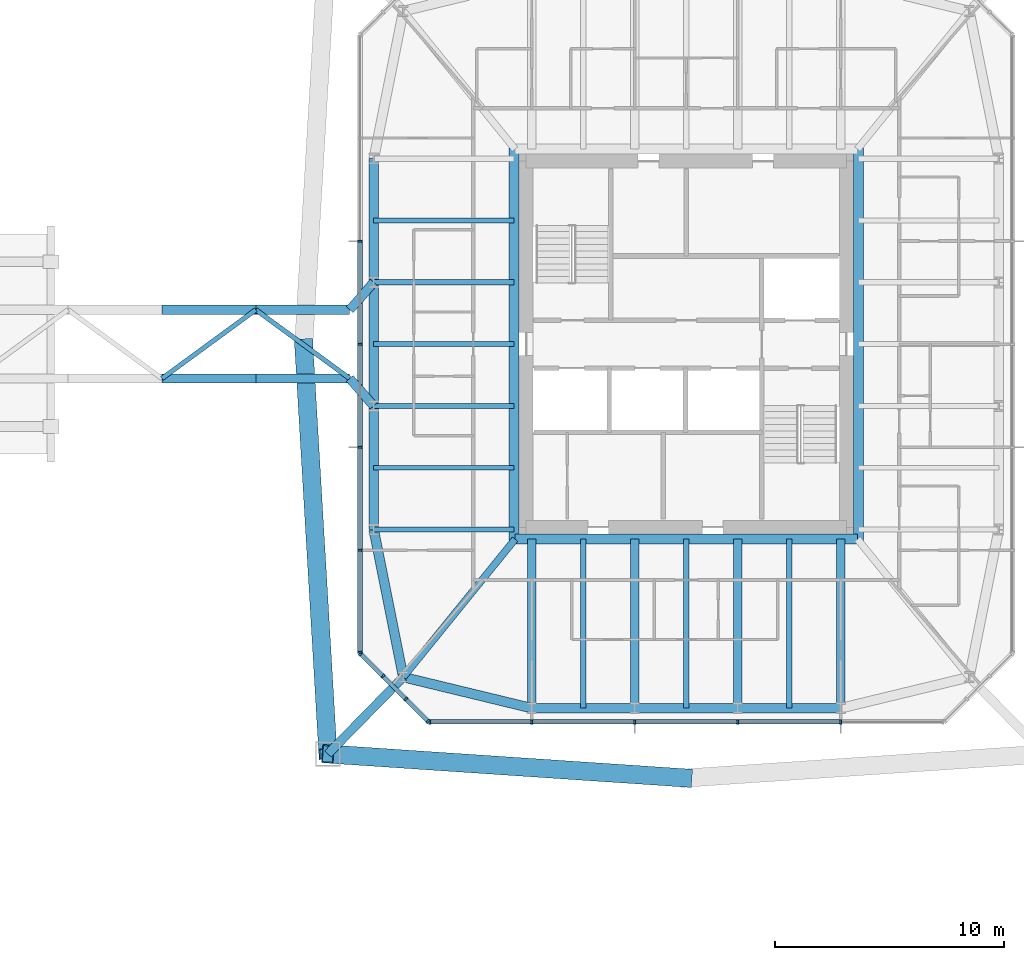
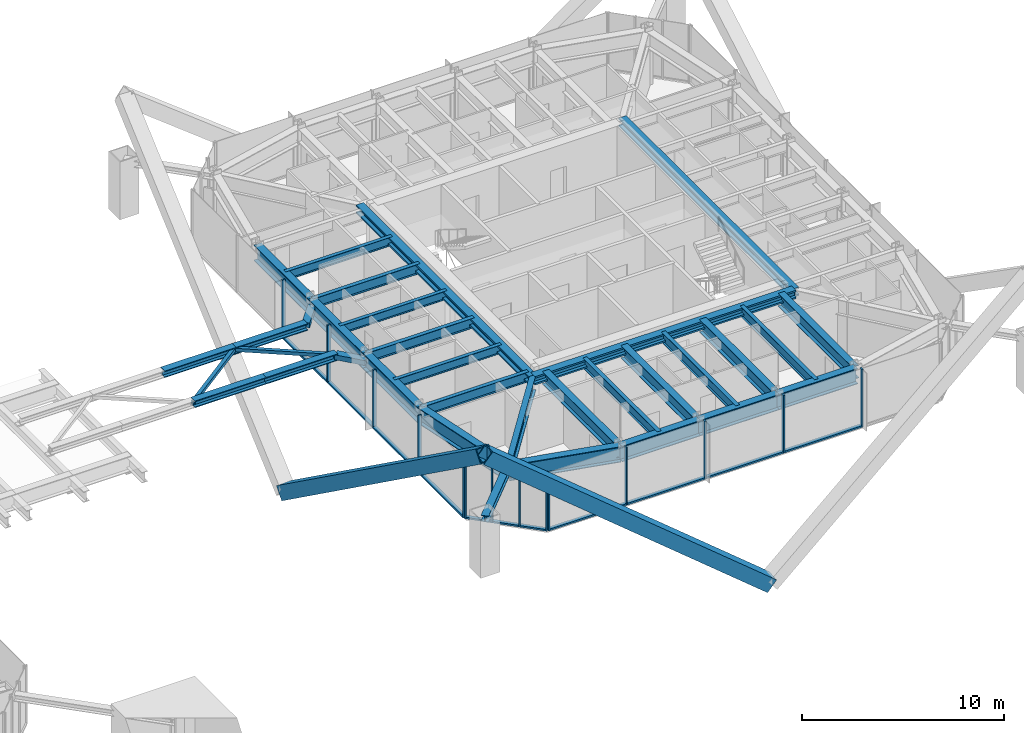
# One storey, part 9 of 27: 36 members, 25 beams, 3 elements without a shape of their own.
"""IFC4 building model written with IfcOpenShell, lengths in metres."""

from ifc_helpers import new_model, si_unit, direction, frame, origin, origin_2d, place, context, subcontext, project, spatial, rectangle, hollow_rectangle, i_section, extrude, material, material_profile, profile_set, type_object, element, aggregate, save


model = new_model("IFC4")

# Units and contexts
model_context = context("Model", 3, precision=1e-05, world=origin(), true_north=direction((0.0, 1.0)))
body_context = subcontext(model_context, "Body", "Model", "MODEL_VIEW")
ifc_project = project(units=[si_unit("LENGTHUNIT", "METRE"), si_unit("AREAUNIT", "SQUARE_METRE"), si_unit("VOLUMEUNIT", "CUBIC_METRE"), si_unit("PLANEANGLEUNIT", "RADIAN"), si_unit("MASSUNIT", "GRAM", prefix="KILO")], contexts=[model_context])

# Site, building, storey
site_placement = place(None, origin())
site = spatial("IfcSite", under=ifc_project, at=site_placement, CompositionType="ELEMENT")
building_placement = place(site_placement, origin())
building = spatial("IfcBuilding", under=site, at=building_placement, Name="Iwan Alto Co-Living Towers", CompositionType="ELEMENT")
storey_placement = place(building_placement, frame((0.0, 0.0, 94.5)))
storey = spatial("IfcBuildingStorey", under=building, at=storey_placement, Name="L25", CompositionType="ELEMENT", Elevation=94.5)

# Members
ifc_material_1 = material(Name="Steel ASTM A36", Category="steel")
ifc_material_profile_1 = material_profile(ifc_material_1, rectangle(XDim=0.39990234375, YDim=0.300048828125, at=origin_2d()), Name="BEARING 400X300")
ifc_profile_set_1 = profile_set([ifc_material_profile_1], Name="Steel ASTM A36")
member_type_1 = type_object("IfcMemberType", Name="BRIDGE BEARING", PredefinedType="USERDEFINED", material=ifc_profile_set_1)
for number, where, z_axis, x_axis, name in (
    (1, (48.300048828125, -1.5, 2.720947265625), (0.658537126736, -0.752548239457, 0.0), (0.752548239457, 0.658537126736, 0.0), "BR1 pinned bearing T2 S"),
    (2, (48.300048828125, 1.5, 2.720947265625), (0.658537126736, 0.752548239457, 0.0), (-0.752548239457, 0.658537126736, 0.0), "BR1 pinned bearing T2 N"),
):
    element("IfcMember", number, at=place(storey_placement, frame(where, z_axis=z_axis, x_axis=x_axis)), inside=storey, type_object=member_type_1, Name=name, ObjectType="BEARING", PredefinedType="USERDEFINED", context=body_context, shape_type="SweptSolid", body=[
        extrude(rectangle(XDim=0.39990234375, YDim=0.300048828125, at=origin_2d()), origin(), (0.0, 0.0, 1.0), 1.594482421875),
    ])
ifc_material_2 = material(Name="Steel ASTM A500 Gr C", Category="steel")
ifc_material_profile_2 = material_profile(ifc_material_2, hollow_rectangle(XDim=0.203125, YDim=0.203125, WallThickness=0.01171875, at=origin_2d()), Name="HSS8X8X1/2")
ifc_profile_set_2 = profile_set([ifc_material_profile_2], Name="Steel ASTM A500 Gr C")
member_type_2 = type_object("IfcMemberType", Name="BRIDGE PLAN BRACE HSS8X8X1/2", PredefinedType="BRACE", material=ifc_profile_set_2)
for number, where, z_axis, x_axis, name in (
    (3, (40.10009765625, -1.5, 2.720947265625), (0.807020271008, 0.590523735494, 0.0), (-0.590523735494, 0.807020271008, 0.0), "BR1 plan brace 3"),
    (4, (44.199951171875, 1.5, 2.720947265625), (0.807037028369, -0.590500833905, 0.0), (0.590500833905, 0.807037028369, 0.0), "BR1 plan brace 4"),
):
    element("IfcMember", number, at=place(storey_placement, frame(where, z_axis=z_axis, x_axis=x_axis)), inside=storey, type_object=member_type_2, Name=name, PredefinedType="BRACE", context=body_context, shape_type="SweptSolid", body=[
        extrude(hollow_rectangle(XDim=0.203125, YDim=0.203125, WallThickness=0.01171875, at=origin_2d()), origin(), (0.0, 0.0, 1.0), 5.080322265625),
    ])
ifc_material_3 = material(Name="Steel ASTM A992 Gr 50", Category="steel")
ifc_material_profile_3 = material_profile(ifc_material_3, i_section(OverallWidth=0.40380859375, OverallDepth=0.406494140625, WebThickness=0.027099609375, FlangeThickness=0.043701171875, at=origin_2d()), Name="W14X233")
ifc_profile_set_3 = profile_set([ifc_material_profile_3], Name="Steel ASTM A992 Gr 50")
member_type_3 = type_object("IfcMemberType", Name="BRIDGE TRUSS CHORD W14X233", PredefinedType="CHORD", material=ifc_profile_set_3)
member_1_placement = place(storey_placement, frame((40.10009765625, -1.5, 2.720947265625), z_axis=(1.0, 0.0, 0.0), x_axis=(0.0, 1.0, 0.0)))
element("IfcMember", 5, at=member_1_placement, inside=storey, type_object=member_type_3, Name="BR1 truss S bottom chord 3", PredefinedType="CHORD", context=body_context, shape_type="SweptSolid", body=[
    extrude(i_section(OverallWidth=0.40380859375, OverallDepth=0.406494140625, WebThickness=0.027099609375, FlangeThickness=0.043701171875, at=origin_2d()), origin(), (0.0, 0.0, 1.0), 4.099853515625),
])
member_2_placement = place(storey_placement, frame((44.199951171875, -1.5, 2.720947265625), z_axis=(1.0, 0.0, 0.0), x_axis=(0.0, 1.0, 0.0)))
element("IfcMember", 6, at=member_2_placement, inside=storey, type_object=member_type_3, Name="BR1 truss S bottom chord 4", PredefinedType="CHORD", context=body_context, shape_type="SweptSolid", body=[
    extrude(i_section(OverallWidth=0.40380859375, OverallDepth=0.406494140625, WebThickness=0.027099609375, FlangeThickness=0.043701171875, at=origin_2d()), origin(), (0.0, 0.0, 1.0), 4.10009765625),
])
member_3_placement = place(storey_placement, frame((40.10009765625, 1.5, 2.720947265625), z_axis=(1.0, 0.0, 0.0), x_axis=(0.0, 1.0, 0.0)))
element("IfcMember", 7, at=member_3_placement, inside=storey, type_object=member_type_3, Name="BR1 truss N bottom chord 3", PredefinedType="CHORD", context=body_context, shape_type="SweptSolid", body=[
    extrude(i_section(OverallWidth=0.40380859375, OverallDepth=0.406494140625, WebThickness=0.027099609375, FlangeThickness=0.043701171875, at=origin_2d()), origin(), (0.0, 0.0, 1.0), 4.099853515625),
])
member_4_placement = place(storey_placement, frame((44.199951171875, 1.5, 2.720947265625), z_axis=(1.0, 0.0, 0.0), x_axis=(0.0, 1.0, 0.0)))
element("IfcMember", 8, at=member_4_placement, inside=storey, type_object=member_type_3, Name="BR1 truss N bottom chord 4", PredefinedType="CHORD", context=body_context, shape_type="SweptSolid", body=[
    extrude(i_section(OverallWidth=0.40380859375, OverallDepth=0.406494140625, WebThickness=0.027099609375, FlangeThickness=0.043701171875, at=origin_2d()), origin(), (0.0, 0.0, 1.0), 4.10009765625),
])

# Curtain wall, members
ifc_material_4 = material(Name="Bronze aluminium unitised frame", Category="aluminium")
curtain_wall_type_1 = type_object("IfcCurtainWallType", Name="CURTAIN WALL CW-C", PredefinedType="NOTDEFINED", material=ifc_material_4)
curtain_wall_1_placement = place(storey_placement, origin())
curtain_wall_1 = element("IfcCurtainWall", 9, at=curtain_wall_1_placement, inside=storey, type_object=curtain_wall_type_1, Name="T2 curtain wall S L25", PredefinedType="NOTDEFINED")
ifc_material_5 = material(Name="Aluminium 6063-T6 bronze anodised", Category="aluminium")
ifc_material_profile_4 = material_profile(ifc_material_5, rectangle(XDim=0.199951171875, YDim=0.080078125, at=origin_2d()), Name="AL 80X200")
ifc_profile_set_4 = profile_set([ifc_material_profile_4], Name="Aluminium 6063-T6 bronze anodised")
member_type_4 = type_object("IfcMemberType", Name="CW-C MULLION 80X200", PredefinedType="MULLION", material=ifc_profile_set_4)
member_5_placement = place(storey_placement, frame((51.7900390625, -16.5, 0.0), z_axis=(0.0, 0.0, 1.0), x_axis=(0.0, 1.0, 0.0)))
member_5 = element("IfcMember", 10, at=member_5_placement, type_object=member_type_4, Name="CW-C mullion 1", PredefinedType="MULLION", context=body_context, shape_type="SweptSolid", body=[
    extrude(rectangle(XDim=0.199951171875, YDim=0.080078125, at=origin_2d()), origin(), (0.0, 0.0, 1.0), 3.5),
])
member_6_placement = place(storey_placement, frame((56.25, -16.5, 0.0), z_axis=(0.0, 0.0, 1.0), x_axis=(0.0, 1.0, 0.0)))
member_6 = element("IfcMember", 11, at=member_6_placement, type_object=member_type_4, Name="CW-C mullion 2", PredefinedType="MULLION", context=body_context, shape_type="SweptSolid", body=[
    extrude(rectangle(XDim=0.199951171875, YDim=0.080078125, at=origin_2d()), origin(), (0.0, 0.0, 1.0), 3.5),
])
member_7_placement = place(storey_placement, frame((60.75, -16.5, 0.0), z_axis=(0.0, 0.0, 1.0), x_axis=(0.0, 1.0, 0.0)))
member_7 = element("IfcMember", 12, at=member_7_placement, type_object=member_type_4, Name="CW-C mullion 3", PredefinedType="MULLION", context=body_context, shape_type="SweptSolid", body=[
    extrude(rectangle(XDim=0.199951171875, YDim=0.080078125, at=origin_2d()), origin(), (0.0, 0.0, 1.0), 3.5),
])
member_8_placement = place(storey_placement, frame((65.25, -16.5, 0.0), z_axis=(0.0, 0.0, 1.0), x_axis=(0.0, 1.0, 0.0)))
member_8 = element("IfcMember", 13, at=member_8_placement, type_object=member_type_4, Name="CW-C mullion 4", PredefinedType="MULLION", context=body_context, shape_type="SweptSolid", body=[
    extrude(rectangle(XDim=0.199951171875, YDim=0.080078125, at=origin_2d()), origin(), (0.0, 0.0, 1.0), 3.5),
])
member_9_placement = place(storey_placement, frame((69.75, -16.5, 0.0), z_axis=(0.0, 0.0, 1.0), x_axis=(0.0, 1.0, 0.0)))
member_9 = element("IfcMember", 14, at=member_9_placement, type_object=member_type_4, Name="CW-C mullion 5", PredefinedType="MULLION", context=body_context, shape_type="SweptSolid", body=[
    extrude(rectangle(XDim=0.199951171875, YDim=0.080078125, at=origin_2d()), origin(), (0.0, 0.0, 1.0), 3.5),
])

curtain_wall_2_placement = place(storey_placement, origin())
curtain_wall_2 = element("IfcCurtainWall", 15, at=curtain_wall_2_placement, inside=storey, type_object=curtain_wall_type_1, Name="T2 curtain wall W L25", PredefinedType="NOTDEFINED")
member_10_placement = place(storey_placement, frame((48.75, 4.5, 0.0), z_axis=(0.0, 0.0, 1.0), x_axis=(1.0, 0.0, 0.0)))
member_10 = element("IfcMember", 16, at=member_10_placement, type_object=member_type_4, Name="CW-C mullion 3", PredefinedType="MULLION", context=body_context, shape_type="SweptSolid", body=[
    extrude(rectangle(XDim=0.199951171875, YDim=0.080078125, at=origin_2d()), origin(), (0.0, 0.0, 1.0), 3.5),
])
member_11_placement = place(storey_placement, frame((48.75, 0.0, 0.0), z_axis=(0.0, 0.0, 1.0), x_axis=(1.0, 0.0, 0.0)))
member_11 = element("IfcMember", 17, at=member_11_placement, type_object=member_type_4, Name="CW-C mullion 4", PredefinedType="MULLION", context=body_context, shape_type="SweptSolid", body=[
    extrude(rectangle(XDim=0.199951171875, YDim=0.080078125, at=origin_2d()), origin(), (0.0, 0.0, 1.0), 3.5),
])
member_12_placement = place(storey_placement, frame((48.75, -4.5, 0.0), z_axis=(0.0, 0.0, 1.0), x_axis=(1.0, 0.0, 0.0)))
member_12 = element("IfcMember", 18, at=member_12_placement, type_object=member_type_4, Name="CW-C mullion 5", PredefinedType="MULLION", context=body_context, shape_type="SweptSolid", body=[
    extrude(rectangle(XDim=0.199951171875, YDim=0.080078125, at=origin_2d()), origin(), (0.0, 0.0, 1.0), 3.5),
])
member_13_placement = place(storey_placement, frame((48.75, -9.0, 0.0), z_axis=(0.0, 0.0, 1.0), x_axis=(1.0, 0.0, 0.0)))
member_13 = element("IfcMember", 19, at=member_13_placement, type_object=member_type_4, Name="CW-C mullion 6", PredefinedType="MULLION", context=body_context, shape_type="SweptSolid", body=[
    extrude(rectangle(XDim=0.199951171875, YDim=0.080078125, at=origin_2d()), origin(), (0.0, 0.0, 1.0), 3.5),
])
member_14_placement = place(storey_placement, frame((48.75, -13.4599609375, 0.0), z_axis=(0.0, 0.0, 1.0), x_axis=(1.0, 0.0, 0.0)))
member_14 = element("IfcMember", 20, at=member_14_placement, type_object=member_type_4, Name="CW-C mullion 7", PredefinedType="MULLION", context=body_context, shape_type="SweptSolid", body=[
    extrude(rectangle(XDim=0.199951171875, YDim=0.080078125, at=origin_2d()), origin(), (0.0, 0.0, 1.0), 3.5),
])

# Member
ifc_material_6 = material(Name="Aluminium 6063-T6 bronze anodised", Category="aluminium")
ifc_material_profile_5 = material_profile(ifc_material_6, rectangle(XDim=0.199951171875, YDim=0.10009765625, at=origin_2d()), Name="AL 200X100")
ifc_profile_set_5 = profile_set([ifc_material_profile_5], Name="Aluminium 6063-T6 bronze anodised")
member_type_5 = type_object("IfcMemberType", Name="CW-C TRANSOM 200X100", PredefinedType="USERDEFINED", material=ifc_profile_set_5)
member_15_placement = place(storey_placement, frame((51.830078125, -16.5, 0.050048828125), z_axis=(1.0, 0.0, 0.0), x_axis=(0.0, 1.0, 0.0)))
member_15 = element("IfcMember", 21, at=member_15_placement, type_object=member_type_5, Name="CW-C transom 1.1", ObjectType="TRANSOM", PredefinedType="USERDEFINED", context=body_context, shape_type="SweptSolid", body=[
    extrude(rectangle(XDim=0.199951171875, YDim=0.10009765625, at=origin_2d()), origin(), (0.0, 0.0, 1.0), 4.3798828125),
])

member_16_placement = place(storey_placement, frame((56.2900390625, -16.5, 0.050048828125), z_axis=(1.0, 0.0, 0.0), x_axis=(0.0, 1.0, 0.0)))
member_16 = element("IfcMember", 22, at=member_16_placement, type_object=member_type_5, Name="CW-C transom 2.1", ObjectType="TRANSOM", PredefinedType="USERDEFINED", context=body_context, shape_type="SweptSolid", body=[
    extrude(rectangle(XDim=0.199951171875, YDim=0.10009765625, at=origin_2d()), origin(), (0.0, 0.0, 1.0), 4.419921875),
])

member_17_placement = place(storey_placement, frame((60.7900390625, -16.5, 0.050048828125), z_axis=(1.0, 0.0, 0.0), x_axis=(0.0, 1.0, 0.0)))
member_17 = element("IfcMember", 23, at=member_17_placement, type_object=member_type_5, Name="CW-C transom 3.1", ObjectType="TRANSOM", PredefinedType="USERDEFINED", context=body_context, shape_type="SweptSolid", body=[
    extrude(rectangle(XDim=0.199951171875, YDim=0.10009765625, at=origin_2d()), origin(), (0.0, 0.0, 1.0), 4.419921875),
])

member_18_placement = place(storey_placement, frame((65.2900390625, -16.5, 0.050048828125), z_axis=(1.0, 0.0, 0.0), x_axis=(0.0, 1.0, 0.0)))
member_18 = element("IfcMember", 24, at=member_18_placement, type_object=member_type_5, Name="CW-C transom 4.1", ObjectType="TRANSOM", PredefinedType="USERDEFINED", context=body_context, shape_type="SweptSolid", body=[
    extrude(rectangle(XDim=0.199951171875, YDim=0.10009765625, at=origin_2d()), origin(), (0.0, 0.0, 1.0), 4.419921875),
])

aggregate(curtain_wall_1, [member_5, member_6, member_7, member_8, member_9, member_15, member_16, member_17, member_18])

member_19_placement = place(storey_placement, frame((48.75, 4.4599609375, 0.050048828125), z_axis=(0.0, -1.0, 0.0), x_axis=(1.0, 0.0, 0.0)))
member_19 = element("IfcMember", 25, at=member_19_placement, type_object=member_type_5, Name="CW-C transom 3.1", ObjectType="TRANSOM", PredefinedType="USERDEFINED", context=body_context, shape_type="SweptSolid", body=[
    extrude(rectangle(XDim=0.199951171875, YDim=0.10009765625, at=origin_2d()), origin(), (0.0, 0.0, 1.0), 4.419921875),
])

member_20_placement = place(storey_placement, frame((48.75, -0.0400390625, 0.050048828125), z_axis=(0.0, -1.0, 0.0), x_axis=(1.0, 0.0, 0.0)))
member_20 = element("IfcMember", 26, at=member_20_placement, type_object=member_type_5, Name="CW-C transom 4.1", ObjectType="TRANSOM", PredefinedType="USERDEFINED", context=body_context, shape_type="SweptSolid", body=[
    extrude(rectangle(XDim=0.199951171875, YDim=0.10009765625, at=origin_2d()), origin(), (0.0, 0.0, 1.0), 4.419921875),
])

member_21_placement = place(storey_placement, frame((48.75, -4.5400390625, 0.050048828125), z_axis=(0.0, -1.0, 0.0), x_axis=(1.0, 0.0, 0.0)))
member_21 = element("IfcMember", 27, at=member_21_placement, type_object=member_type_5, Name="CW-C transom 5.1", ObjectType="TRANSOM", PredefinedType="USERDEFINED", context=body_context, shape_type="SweptSolid", body=[
    extrude(rectangle(XDim=0.199951171875, YDim=0.10009765625, at=origin_2d()), origin(), (0.0, 0.0, 1.0), 4.419921875),
])

member_22_placement = place(storey_placement, frame((48.75, -9.0400390625, 0.050048828125), z_axis=(0.0, -1.0, 0.0), x_axis=(1.0, 0.0, 0.0)))
member_22 = element("IfcMember", 28, at=member_22_placement, type_object=member_type_5, Name="CW-C transom 6.1", ObjectType="TRANSOM", PredefinedType="USERDEFINED", context=body_context, shape_type="SweptSolid", body=[
    extrude(rectangle(XDim=0.199951171875, YDim=0.10009765625, at=origin_2d()), origin(), (0.0, 0.0, 1.0), 4.3798828125),
])

aggregate(curtain_wall_2, [member_10, member_11, member_12, member_13, member_14, member_19, member_20, member_21, member_22])

# Curtain wall, members
ifc_material_7 = material(Name="Bronze aluminium unitised frame", Category="aluminium")
curtain_wall_type_2 = type_object("IfcCurtainWallType", Name="CURTAIN WALL CW-D", PredefinedType="NOTDEFINED", material=ifc_material_7)
curtain_wall_3_placement = place(storey_placement, origin())
curtain_wall_3 = element("IfcCurtainWall", 29, at=curtain_wall_3_placement, inside=storey, type_object=curtain_wall_type_2, Name="T2 chamfer curtain wall SW L25", PredefinedType="NOTDEFINED")
ifc_material_8 = material(Name="Aluminium 6063-T6 bronze anodised", Category="aluminium")
ifc_material_profile_6 = material_profile(ifc_material_8, rectangle(XDim=0.199951171875, YDim=0.080078125, at=origin_2d()), Name="AL 80X200")
ifc_profile_set_6 = profile_set([ifc_material_profile_6], Name="Aluminium 6063-T6 bronze anodised")
member_type_6 = type_object("IfcMemberType", Name="CW-D MULLION 80X200", PredefinedType="MULLION", material=ifc_profile_set_6)
member_23_placement = place(storey_placement, frame((48.7783203125, -13.5283203125, 0.0), z_axis=(0.0, 0.0, 1.0), x_axis=(0.707106781187, 0.707106781187, 0.0)))
member_23 = element("IfcMember", 30, at=member_23_placement, type_object=member_type_6, Name="CW-D mullion 1", PredefinedType="MULLION", context=body_context, shape_type="SweptSolid", body=[
    extrude(rectangle(XDim=0.199951171875, YDim=0.080078125, at=origin_2d()), origin(), (0.0, 0.0, 1.0), 3.5),
])
member_24_placement = place(storey_placement, frame((49.75, -14.5, 0.0), z_axis=(0.0, 0.0, 1.0), x_axis=(0.707106781187, 0.707106781187, 0.0)))
member_24 = element("IfcMember", 31, at=member_24_placement, type_object=member_type_6, Name="CW-D mullion 2", PredefinedType="MULLION", context=body_context, shape_type="SweptSolid", body=[
    extrude(rectangle(XDim=0.199951171875, YDim=0.080078125, at=origin_2d()), origin(), (0.0, 0.0, 1.0), 3.5),
])
member_25_placement = place(storey_placement, frame((50.75, -15.5, 0.0), z_axis=(0.0, 0.0, 1.0), x_axis=(0.707106781187, 0.707106781187, 0.0)))
member_25 = element("IfcMember", 32, at=member_25_placement, type_object=member_type_6, Name="CW-D mullion 3", PredefinedType="MULLION", context=body_context, shape_type="SweptSolid", body=[
    extrude(rectangle(XDim=0.199951171875, YDim=0.080078125, at=origin_2d()), origin(), (0.0, 0.0, 1.0), 3.5),
])
member_26_placement = place(storey_placement, frame((51.7216796875, -16.4716796875, 0.0), z_axis=(0.0, 0.0, 1.0), x_axis=(0.707106781187, 0.707106781187, 0.0)))
member_26 = element("IfcMember", 33, at=member_26_placement, type_object=member_type_6, Name="CW-D mullion 4", PredefinedType="MULLION", context=body_context, shape_type="SweptSolid", body=[
    extrude(rectangle(XDim=0.199951171875, YDim=0.080078125, at=origin_2d()), origin(), (0.0, 0.0, 1.0), 3.5),
])
ifc_material_9 = material(Name="Aluminium 6063-T6 bronze anodised", Category="aluminium")
ifc_material_profile_7 = material_profile(ifc_material_9, rectangle(XDim=0.199951171875, YDim=0.10009765625, at=origin_2d()), Name="AL 200X100")
ifc_profile_set_7 = profile_set([ifc_material_profile_7], Name="Aluminium 6063-T6 bronze anodised")
member_type_7 = type_object("IfcMemberType", Name="CW-D TRANSOM 200X100", PredefinedType="USERDEFINED", material=ifc_profile_set_7)
member_27_placement = place(storey_placement, frame((48.806640625, -13.556640625, 0.050048828125), z_axis=(0.707106781187, -0.707106781187, 0.0), x_axis=(0.707106781187, 0.707106781187, 0.0)))
member_27 = element("IfcMember", 34, at=member_27_placement, type_object=member_type_7, Name="CW-D transom 1.1", ObjectType="TRANSOM", PredefinedType="USERDEFINED", context=body_context, shape_type="SweptSolid", body=[
    extrude(rectangle(XDim=0.199951171875, YDim=0.10009765625, at=origin_2d()), origin(), (0.0, 0.0, 1.0), 1.2939453125),
])
member_28_placement = place(storey_placement, frame((49.7783203125, -14.5283203125, 0.050048828125), z_axis=(0.707106781187, -0.707106781187, 0.0), x_axis=(0.707106781187, 0.707106781187, 0.0)))
member_28 = element("IfcMember", 35, at=member_28_placement, type_object=member_type_7, Name="CW-D transom 2.1", ObjectType="TRANSOM", PredefinedType="USERDEFINED", context=body_context, shape_type="SweptSolid", body=[
    extrude(rectangle(XDim=0.199951171875, YDim=0.10009765625, at=origin_2d()), origin(), (0.0, 0.0, 1.0), 1.334228515625),
])
member_29_placement = place(storey_placement, frame((50.7783203125, -15.5283203125, 0.050048828125), z_axis=(0.707106781187, -0.707106781187, 0.0), x_axis=(0.707106781187, 0.707106781187, 0.0)))
member_29 = element("IfcMember", 36, at=member_29_placement, type_object=member_type_7, Name="CW-D transom 3.1", ObjectType="TRANSOM", PredefinedType="USERDEFINED", context=body_context, shape_type="SweptSolid", body=[
    extrude(rectangle(XDim=0.199951171875, YDim=0.10009765625, at=origin_2d()), origin(), (0.0, 0.0, 1.0), 1.2939453125),
])
aggregate(curtain_wall_3, [member_23, member_24, member_25, member_26, member_27, member_28, member_29])

# Beams
ifc_material_10 = material(Name="Steel ASTM A992 Gr 50", Category="steel")
ifc_material_profile_8 = material_profile(ifc_material_10, i_section(OverallWidth=0.436767578125, OverallDepth=0.51318359375, WebThickness=0.060546875, FlangeThickness=0.096923828125, at=origin_2d()), Name="W14X550")
ifc_profile_set_8 = profile_set([ifc_material_profile_8], Name="Steel ASTM A992 Gr 50")
beam_type_1 = type_object("IfcBeamType", Name="T2 CORE LEDGER BEAM W14X550", PredefinedType="BEAM", material=ifc_profile_set_8)
beam_1_placement = place(storey_placement, frame((55.52294921875, -8.5185546875, 3.013427734375), z_axis=(1.0, 0.0, 0.0), x_axis=(0.0, 1.0, 0.0)))
element("IfcBeam", 37, at=beam_1_placement, inside=storey, type_object=beam_type_1, Name="T2 core ledger beam S L26", PredefinedType="BEAM", context=body_context, shape_type="SweptSolid", body=[
    extrude(i_section(OverallWidth=0.436767578125, OverallDepth=0.51318359375, WebThickness=0.060546875, FlangeThickness=0.096923828125, at=origin_2d()), origin(), (0.0, 0.0, 1.0), 14.9541015625),
])
for number, where, z_axis, x_axis, name in (
    (38, (70.5185546875, -8.5693359375, 3.013427734375), (0.0, 1.0, 0.0), (-1.0, 0.0, 0.0), "T2 core ledger beam E L26"),
    (39, (55.4814453125, 8.5693359375, 3.013427734375), (0.0, -1.0, 0.0), (1.0, 0.0, 0.0), "T2 core ledger beam W L26"),
):
    element("IfcBeam", number, at=place(storey_placement, frame(where, z_axis=z_axis, x_axis=x_axis)), inside=storey, type_object=beam_type_1, Name=name, PredefinedType="BEAM", context=body_context, shape_type="SweptSolid", body=[
        extrude(i_section(OverallWidth=0.436767578125, OverallDepth=0.51318359375, WebThickness=0.060546875, FlangeThickness=0.096923828125, at=origin_2d()), origin(), (0.0, 0.0, 1.0), 17.138671875),
    ])
ifc_material_11 = material(Name="Steel ASTM A992 Gr 50", Category="steel")
ifc_material_profile_9 = material_profile(ifc_material_11, i_section(OverallWidth=0.307373046875, OverallDepth=0.927001953125, WebThickness=0.01953125, FlangeThickness=0.031982421875, at=origin_2d()), Name="W36X194")
ifc_profile_set_9 = profile_set([ifc_material_profile_9], Name="Steel ASTM A992 Gr 50")
beam_type_2 = type_object("IfcBeamType", Name="T2 CORNER GIRDER W36X194", PredefinedType="BEAM", material=ifc_profile_set_9)
beam_2_placement = place(storey_placement, frame((50.638671875, -14.542724609375, 2.806396484375), z_axis=(0.629787584927, 0.776767402683, 0.0), x_axis=(-0.776767402683, 0.629787584927, 0.0)))
element("IfcBeam", 40, at=beam_2_placement, inside=storey, type_object=beam_type_2, Name="T2 corner girder CSW L26", PredefinedType="BEAM", context=body_context, shape_type="SweptSolid", body=[
    extrude(i_section(OverallWidth=0.307373046875, OverallDepth=0.927001953125, WebThickness=0.01953125, FlangeThickness=0.031982421875, at=origin_2d()), origin(), (0.0, 0.0, 1.0), 7.75537109375),
])
ifc_material_12 = material(Name="Steel ASTM A992 Gr 50", Category="steel")
ifc_material_profile_10 = material_profile(ifc_material_12, i_section(OverallWidth=0.424072265625, OverallDepth=0.947509765625, WebThickness=0.02392578125, FlangeThickness=0.042724609375, at=origin_2d()), Name="W36X302")
ifc_profile_set_10 = profile_set([ifc_material_profile_10], Name="Steel ASTM A992 Gr 50")
beam_type_3 = type_object("IfcBeamType", Name="T2 EDGE BEAM W36X302", PredefinedType="BEAM", material=ifc_profile_set_10)
beam_3_placement = place(storey_placement, frame((50.638671875, -14.542724609375, 2.79638671875), z_axis=(0.971974673138, -0.235085590323, 0.0), x_axis=(0.235085590323, 0.971974673138, 0.0)))
element("IfcBeam", 41, at=beam_3_placement, inside=storey, type_object=beam_type_3, Name="T2 edge beam CSW L26", PredefinedType="BEAM", context=body_context, shape_type="SweptSolid", body=[
    extrude(i_section(OverallWidth=0.424072265625, OverallDepth=0.947509765625, WebThickness=0.02392578125, FlangeThickness=0.042724609375, at=origin_2d()), origin(), (0.0, 0.0, 1.0), 5.773193359375),
])
for number, where, z_axis, x_axis, name in (
    (42, (56.25, -15.89990234375, 2.79638671875), (1.0, 0.0, 0.0), (0.0, 1.0, 0.0), "T2 edge beam S1 L26"),
    (43, (60.75, -15.89990234375, 2.79638671875), (1.0, 0.0, 0.0), (0.0, 1.0, 0.0), "T2 edge beam S2 L26"),
    (44, (65.25, -15.89990234375, 2.79638671875), (1.0, 0.0, 0.0), (0.0, 1.0, 0.0), "T2 edge beam S3 L26"),
):
    element("IfcBeam", number, at=place(storey_placement, frame(where, z_axis=z_axis, x_axis=x_axis)), inside=storey, type_object=beam_type_3, Name=name, PredefinedType="BEAM", context=body_context, shape_type="SweptSolid", body=[
        extrude(i_section(OverallWidth=0.424072265625, OverallDepth=0.947509765625, WebThickness=0.02392578125, FlangeThickness=0.042724609375, at=origin_2d()), origin(), (0.0, 0.0, 1.0), 4.5),
    ])
beam_4_placement = place(storey_placement, frame((49.35009765625, 8.10009765625, 2.79638671875), z_axis=(0.0, -1.0, 0.0), x_axis=(1.0, 0.0, 0.0)))
element("IfcBeam", 45, at=beam_4_placement, inside=storey, type_object=beam_type_3, Name="T2 edge beam W1 L26", PredefinedType="BEAM", context=body_context, shape_type="SweptSolid", body=[
    extrude(i_section(OverallWidth=0.424072265625, OverallDepth=0.947509765625, WebThickness=0.02392578125, FlangeThickness=0.042724609375, at=origin_2d()), origin(), (0.0, 0.0, 1.0), 5.400146484375),
])
beam_5_placement = place(storey_placement, frame((49.35009765625, 2.699951171875, 2.79638671875), z_axis=(0.0, -1.0, 0.0), x_axis=(1.0, 0.0, 0.0)))
element("IfcBeam", 46, at=beam_5_placement, inside=storey, type_object=beam_type_3, Name="T2 edge beam W2 L26", PredefinedType="BEAM", context=body_context, shape_type="SweptSolid", body=[
    extrude(i_section(OverallWidth=0.424072265625, OverallDepth=0.947509765625, WebThickness=0.02392578125, FlangeThickness=0.042724609375, at=origin_2d()), origin(), (0.0, 0.0, 1.0), 5.39990234375),
])
beam_6_placement = place(storey_placement, frame((49.35009765625, -2.699951171875, 2.79638671875), z_axis=(0.0, -1.0, 0.0), x_axis=(1.0, 0.0, 0.0)))
element("IfcBeam", 47, at=beam_6_placement, inside=storey, type_object=beam_type_3, Name="T2 edge beam W3 L26", PredefinedType="BEAM", context=body_context, shape_type="SweptSolid", body=[
    extrude(i_section(OverallWidth=0.424072265625, OverallDepth=0.947509765625, WebThickness=0.02392578125, FlangeThickness=0.042724609375, at=origin_2d()), origin(), (0.0, 0.0, 1.0), 5.400146484375),
])
beam_7_placement = place(storey_placement, frame((49.35009765625, -8.10009765625, 2.79638671875), z_axis=(0.196123281025, -0.980579246487, 0.0), x_axis=(0.980579246487, 0.196123281025, 0.0)))
element("IfcBeam", 48, at=beam_7_placement, inside=storey, type_object=beam_type_3, Name="T2 edge beam W4 L26", PredefinedType="BEAM", context=body_context, shape_type="SweptSolid", body=[
    extrude(i_section(OverallWidth=0.424072265625, OverallDepth=0.947509765625, WebThickness=0.02392578125, FlangeThickness=0.042724609375, at=origin_2d()), origin(), (0.0, 0.0, 1.0), 6.5703125),
])

# Members
ifc_material_13 = material(Name="Steel ASTM A572 Gr 50", Category="steel")
ifc_material_profile_11 = material_profile(ifc_material_13, hollow_rectangle(XDim=0.800048828125, YDim=0.800048828125, WallThickness=0.050048828125, at=origin_2d()), Name="BOX 800X800X50")
ifc_profile_set_11 = profile_set([ifc_material_profile_11], Name="Steel ASTM A572 Gr 50")
member_type_8 = type_object("IfcMemberType", Name="T2 MEGA BRACE BOX 800X800X50", PredefinedType="BRACE", material=ifc_profile_set_11)
member_30_placement = place(storey_placement, frame((63.0, -18.949462890625, -5.5947265625), z_axis=(-0.777987909943, 0.052175751534, 0.62610901841), x_axis=(-0.066914677494, -0.997758701258, 0.0)))
element("IfcMember", 49, at=member_30_placement, inside=storey, type_object=member_type_8, Name="T2 mega brace Z2A S 2 upper", PredefinedType="BRACE", context=body_context, shape_type="SweptSolid", body=[
    extrude(hollow_rectangle(XDim=0.800048828125, YDim=0.800048828125, WallThickness=0.050048828125, at=origin_2d()), origin(), (0.0, 0.0, 1.0), 20.115966796875),
])
member_31_placement = place(storey_placement, frame((46.29150390625, 0.0, -5.70166015625), z_axis=(0.048174700952, -0.814592417988, 0.578029749014), x_axis=(0.998255825444, 0.059036488436, 0.0)))
element("IfcMember", 50, at=member_31_placement, inside=storey, type_object=member_type_8, Name="T2 mega brace Z2A W 1 upper", PredefinedType="BRACE", context=body_context, shape_type="SweptSolid", body=[
    extrude(hollow_rectangle(XDim=0.800048828125, YDim=0.800048828125, WallThickness=0.050048828125, at=origin_2d()), origin(), (0.0, 0.0, 1.0), 21.97412109375),
])
ifc_material_14 = material(Name="Steel ASTM A992 Gr 50", Category="steel")
ifc_material_profile_12 = material_profile(ifc_material_14, i_section(OverallWidth=0.393798828125, OverallDepth=0.3759765625, WebThickness=0.017333984375, FlangeThickness=0.027587890625, at=origin_2d()), Name="W14X145")
ifc_profile_set_12 = profile_set([ifc_material_profile_12], Name="Steel ASTM A992 Gr 50")
member_type_9 = type_object("IfcMemberType", Name="T2 MEGA COLUMN FLOOR TIE W14X145", PredefinedType="STRUT", material=ifc_profile_set_12)
member_32_placement = place(storey_placement, frame((47.35009765625, -17.89990234375, 3.08203125), z_axis=(0.699770096147, 0.714368121166, 0.0), x_axis=(-0.714368121166, 0.699770096147, 0.0)))
element("IfcMember", 51, at=member_32_placement, inside=storey, type_object=member_type_9, Name="T2 mega column floor tie SW L26", PredefinedType="STRUT", context=body_context, shape_type="SweptSolid", body=[
    extrude(i_section(OverallWidth=0.393798828125, OverallDepth=0.3759765625, WebThickness=0.017333984375, FlangeThickness=0.027587890625, at=origin_2d()), origin(), (0.0, 0.0, 1.0), 4.699462890625),
])

# Beams
ifc_material_15 = material(Name="Steel ASTM A992 Gr 50", Category="steel")
ifc_material_profile_13 = material_profile(ifc_material_15, i_section(OverallWidth=0.228271484375, OverallDepth=0.607177734375, WebThickness=0.01123046875, FlangeThickness=0.017333984375, at=origin_2d()), Name="W24X76")
ifc_profile_set_13 = profile_set([ifc_material_profile_13], Name="Steel ASTM A992 Gr 50")
beam_type_4 = type_object("IfcBeamType", Name="T2 RADIAL BEAM W24X76", PredefinedType="BEAM", material=ifc_profile_set_13)
for number, where, z_axis, x_axis, name in (
    (52, (49.35009765625, 2.699951171875, 2.966552734375), (1.0, 0.0, 0.0), (0.0, 1.0, 0.0), "T2 radial beam W2 L26"),
    (53, (49.35009765625, -2.699951171875, 2.966552734375), (1.0, 0.0, 0.0), (0.0, 1.0, 0.0), "T2 radial beam W3 L26"),
    (54, (49.35009765625, -8.10009765625, 2.966552734375), (1.0, 0.0, 0.0), (0.0, 1.0, 0.0), "T2 radial beam W4 L26"),
):
    element("IfcBeam", number, at=place(storey_placement, frame(where, z_axis=z_axis, x_axis=x_axis)), inside=storey, type_object=beam_type_4, Name=name, PredefinedType="BEAM", context=body_context, shape_type="SweptSolid", body=[
        extrude(i_section(OverallWidth=0.228271484375, OverallDepth=0.607177734375, WebThickness=0.01123046875, FlangeThickness=0.017333984375, at=origin_2d()), origin(), (0.0, 0.0, 1.0), 6.13134765625),
    ])
ifc_material_16 = material(Name="Steel ASTM A992 Gr 50", Category="steel")
ifc_material_profile_14 = material_profile(ifc_material_16, i_section(OverallWidth=0.381103515625, OverallDepth=0.772216796875, WebThickness=0.0166015625, FlangeThickness=0.027099609375, at=origin_2d()), Name="W30X173")
ifc_profile_set_14 = profile_set([ifc_material_profile_14], Name="Steel ASTM A992 Gr 50")
beam_type_5 = type_object("IfcBeamType", Name="T2 RADIAL BEAM W30X173", PredefinedType="BEAM", material=ifc_profile_set_14)
for number, where, z_axis, x_axis, name in (
    (55, (56.25, -15.89990234375, 2.884033203125), (0.0, 1.0, 0.0), (-1.0, 0.0, 0.0), "T2 radial beam S1 L26"),
    (56, (60.75, -15.89990234375, 2.884033203125), (0.0, 1.0, 0.0), (-1.0, 0.0, 0.0), "T2 radial beam S2 L26"),
    (57, (65.25, -15.89990234375, 2.884033203125), (0.0, 1.0, 0.0), (-1.0, 0.0, 0.0), "T2 radial beam S3 L26"),
    (58, (69.75, -15.89990234375, 2.884033203125), (0.0, 1.0, 0.0), (-1.0, 0.0, 0.0), "T2 radial beam S4 L26"),
):
    element("IfcBeam", number, at=place(storey_placement, frame(where, z_axis=z_axis, x_axis=x_axis)), inside=storey, type_object=beam_type_5, Name=name, PredefinedType="BEAM", context=body_context, shape_type="SweptSolid", body=[
        extrude(i_section(OverallWidth=0.381103515625, OverallDepth=0.772216796875, WebThickness=0.0166015625, FlangeThickness=0.027099609375, at=origin_2d()), origin(), (0.0, 0.0, 1.0), 7.38134765625),
    ])
ifc_material_17 = material(Name="Steel ASTM A992 Gr 50", Category="steel")
ifc_material_profile_15 = material_profile(ifc_material_17, i_section(OverallWidth=0.209228515625, OverallDepth=0.533447265625, WebThickness=0.01025390625, FlangeThickness=0.015625, at=origin_2d()), Name="W21X62")
ifc_profile_set_15 = profile_set([ifc_material_profile_15], Name="Steel ASTM A992 Gr 50")
beam_type_6 = type_object("IfcBeamType", Name="T2 SECONDARY BEAM W21X62", PredefinedType="JOIST", material=ifc_profile_set_15)
for number, where, z_axis, x_axis, name in (
    (59, (49.35009765625, 5.39990234375, 3.00341796875), (1.0, 0.0, 0.0), (0.0, 1.0, 0.0), "T2 secondary beam W1 L26"),
    (60, (49.35009765625, 0.0, 3.00341796875), (1.0, 0.0, 0.0), (0.0, 1.0, 0.0), "T2 secondary beam W2 L26"),
    (61, (49.35009765625, -5.39990234375, 3.00341796875), (1.0, 0.0, 0.0), (0.0, 1.0, 0.0), "T2 secondary beam W3 L26"),
):
    element("IfcBeam", number, at=place(storey_placement, frame(where, z_axis=z_axis, x_axis=x_axis)), inside=storey, type_object=beam_type_6, Name=name, PredefinedType="JOIST", context=body_context, shape_type="SweptSolid", body=[
        extrude(i_section(OverallWidth=0.209228515625, OverallDepth=0.533447265625, WebThickness=0.01025390625, FlangeThickness=0.015625, at=origin_2d()), origin(), (0.0, 0.0, 1.0), 6.13134765625),
    ])
ifc_material_18 = material(Name="Steel ASTM A992 Gr 50", Category="steel")
ifc_material_profile_16 = material_profile(ifc_material_18, i_section(OverallWidth=0.228271484375, OverallDepth=0.607177734375, WebThickness=0.01123046875, FlangeThickness=0.017333984375, at=origin_2d()), Name="W24X76")
ifc_profile_set_16 = profile_set([ifc_material_profile_16], Name="Steel ASTM A992 Gr 50")
beam_type_7 = type_object("IfcBeamType", Name="T2 SECONDARY BEAM W24X76", PredefinedType="JOIST", material=ifc_profile_set_16)
for number, where, z_axis, x_axis, name in (
    (62, (58.5, -15.89990234375, 2.966552734375), (0.0, 1.0, 0.0), (-1.0, 0.0, 0.0), "T2 secondary beam S1 L26"),
    (63, (63.0, -15.89990234375, 2.966552734375), (0.0, 1.0, 0.0), (-1.0, 0.0, 0.0), "T2 secondary beam S2 L26"),
    (64, (67.5, -15.89990234375, 2.966552734375), (0.0, 1.0, 0.0), (-1.0, 0.0, 0.0), "T2 secondary beam S3 L26"),
):
    element("IfcBeam", number, at=place(storey_placement, frame(where, z_axis=z_axis, x_axis=x_axis)), inside=storey, type_object=beam_type_7, Name=name, PredefinedType="JOIST", context=body_context, shape_type="SweptSolid", body=[
        extrude(i_section(OverallWidth=0.228271484375, OverallDepth=0.607177734375, WebThickness=0.01123046875, FlangeThickness=0.017333984375, at=origin_2d()), origin(), (0.0, 0.0, 1.0), 7.38134765625),
    ])

save(model, "model.ifc")
